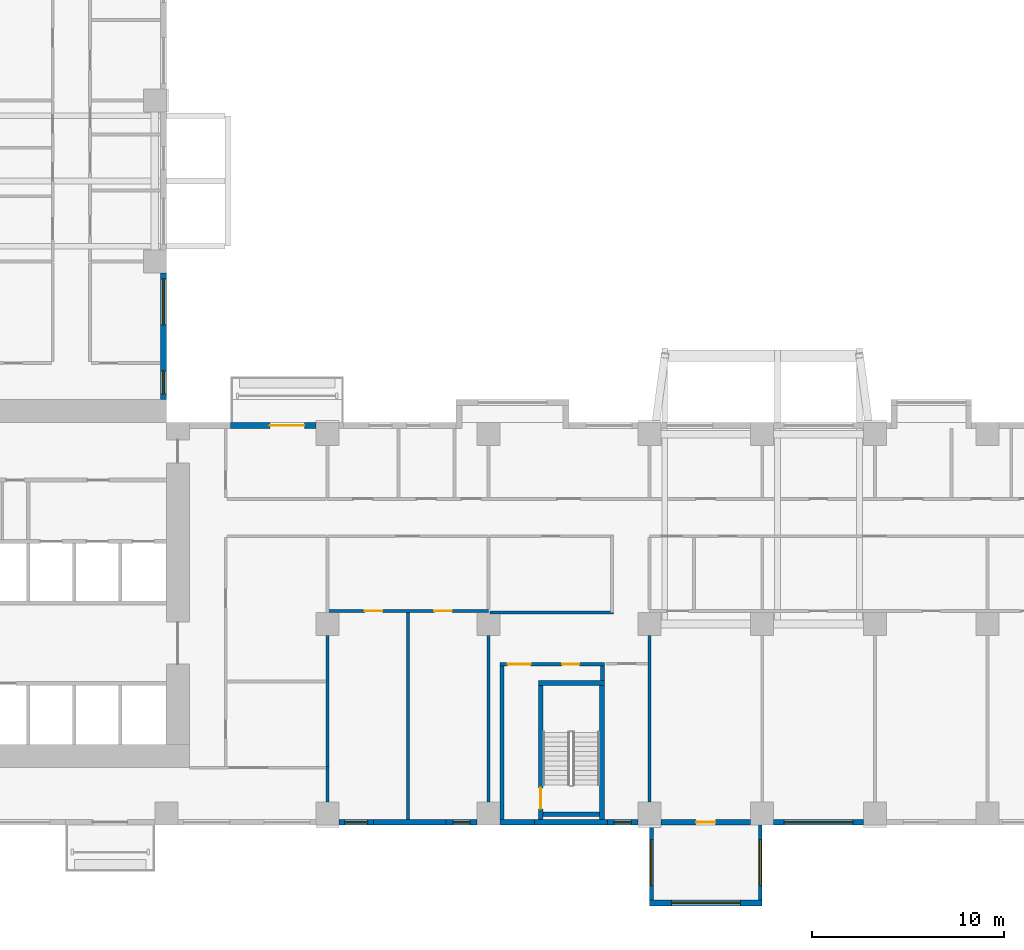
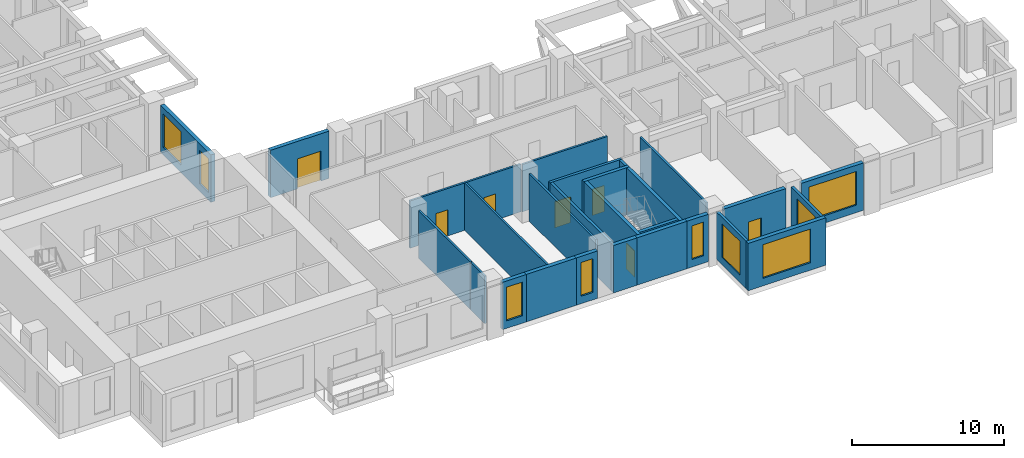
# One storey, part 4 of 14: 27 walls, 9 windows, 7 doors, 16 openings.
"""IFC4 building model written with IfcOpenShell, lengths in metres."""

from ifc_helpers import new_model, si_unit, direction, frame, frame_2d, origin, place, context, subcontext, project, spatial, rectangle, extrude, source, transform, mapped, material, layer, layer_set, type_object, element, fill, save


model = new_model("IFC4")

# Units and contexts
model_context = context("Model", 3, precision=1e-05, world=origin(), true_north=direction((0.0, 1.0)))
body_context = subcontext(model_context, "Body", "Model", "MODEL_VIEW")
ifc_project = project(units=[si_unit("LENGTHUNIT", "METRE"), si_unit("AREAUNIT", "SQUARE_METRE"), si_unit("VOLUMEUNIT", "CUBIC_METRE"), si_unit("PLANEANGLEUNIT", "RADIAN"), si_unit("MASSUNIT", "GRAM", prefix="KILO")], contexts=[model_context])

# Site, building, storey
site_placement = place(None, origin())
site = spatial("IfcSite", under=ifc_project, at=site_placement, CompositionType="ELEMENT")
building_placement = place(site_placement, origin())
building = spatial("IfcBuilding", under=site, at=building_placement, Name="Aurelian Terraces", CompositionType="ELEMENT")
storey_placement = place(building_placement, frame((0.0, 0.0, 44.7)))
storey = spatial("IfcBuildingStorey", under=building, at=storey_placement, Name="L08", CompositionType="ELEMENT", Elevation=44.7)

# Wall, opening, window
ifc_material_1 = material(Name="Concrete fc' 40 MPa", Category="concrete")
ifc_layer_1 = layer(ifc_material_1, 0.2)
ifc_layer_set_1 = layer_set([ifc_layer_1], Name="BOX BEARING WALL 200")
wall_type_1 = type_object("IfcWallType", Name="BOX BEARING WALL 200", PredefinedType="SOLIDWALL", material=ifc_layer_set_1)
wall_1_placement = place(storey_placement, frame((46.3, 0.0, 0.0), z_axis=(0.0, 0.0, 1.0), x_axis=(0.0, -1.0, 0.0)))
wall_1 = element("IfcWall", 1, at=wall_1_placement, inside=storey, type_object=wall_type_1, Name="Box return L08 J01.1", PredefinedType="SOLIDWALL", context=body_context, shape_type="SweptSolid", body=[
    extrude(rectangle(XDim=3.9, YDim=0.2, at=frame_2d((1.95, 0.0))), origin(), (0.0, 0.0, 1.0), 3.79),
])
opening_1_placement = place(wall_1_placement, frame((0.75, 0.0, 0.6)))
opening_1 = element("IfcOpeningElement", 2, at=opening_1_placement, cuts=wall_1, Name="Opening W2427", PredefinedType="OPENING", context=body_context, shape_type="SweptSolid", body=[
    extrude(rectangle(XDim=2.4, YDim=2.7, at=frame_2d((1.2, 1.35))), frame((0.0, 0.11, 0.0), z_axis=(0.0, -1.0, 0.0), x_axis=(1.0, 0.0, 0.0)), (0.0, 0.0, 1.0), 0.22),
])
ifc_material_2 = material(Name="Clear glazing", Category="glass")
window_type_1 = type_object("IfcWindowType", Name="W-2400x2700", PartitioningType="SINGLE_PANEL", PredefinedType="WINDOW", material=ifc_material_2)
shared_shape_1 = source(origin(), body_context, "Body", "SweptSolid", [
    extrude(rectangle(XDim=2.4, YDim=2.7, at=frame_2d((1.2, 1.35))), frame((0.0, 0.03, 0.0), z_axis=(0.0, -1.0, 0.0), x_axis=(1.0, 0.0, 0.0)), (0.0, 0.0, 1.0), 0.06),
])
window_1_placement = place(opening_1_placement, origin())
window_1 = element("IfcWindow", 3, at=window_1_placement, inside=storey, type_object=window_type_1, Name="Window L08 J01-S1", OverallHeight=2.7, OverallWidth=2.4, PartitioningType="SINGLE_PANEL", PredefinedType="WINDOW", context=body_context, shape_type="MappedRepresentation", body=[
    mapped(shared_shape_1, transform((0.0, 0.0, 0.0), scale=1.0)),
])
fill(opening_1, window_1)

ifc_layer_2 = layer(ifc_material_1, 0.3)
ifc_layer_set_2 = layer_set([ifc_layer_2], Name="BOX BEARING WALL 300")
wall_type_2 = type_object("IfcWallType", Name="BOX BEARING WALL 300", PredefinedType="SOLIDWALL", material=ifc_layer_set_2)
wall_2_placement = place(storey_placement, frame((46.2, -4.05, 0.0), z_axis=(0.0, 0.0, 1.0), x_axis=(1.0, 0.0, 0.0)))
wall_2 = element("IfcWall", 4, at=wall_2_placement, inside=storey, type_object=wall_type_2, Name="Box wall L08 J01", PredefinedType="SOLIDWALL", context=body_context, shape_type="SweptSolid", body=[
    extrude(rectangle(XDim=5.88, YDim=0.3, at=frame_2d((2.94, 0.0))), origin(), (0.0, 0.0, 1.0), 3.79),
])
shared_shape_2 = source(origin(), body_context, "Body", "SweptSolid", [
    extrude(rectangle(XDim=3.6, YDim=2.7, at=frame_2d((1.8, 1.35))), frame((0.0, 0.16, 0.0), z_axis=(0.0, -1.0, 0.0), x_axis=(1.0, 0.0, 0.0)), (0.0, 0.0, 1.0), 0.32),
])
opening_2_placement = place(wall_2_placement, frame((1.14, 0.0, 0.6)))
opening_2 = element("IfcOpeningElement", 5, at=opening_2_placement, cuts=wall_2, Name="Opening W3627", PredefinedType="OPENING", context=body_context, shape_type="MappedRepresentation", body=[
    mapped(shared_shape_2, transform((0.0, 0.0, 0.0), scale=1.0)),
])
window_type_2 = type_object("IfcWindowType", Name="W-3600x2700", PartitioningType="SINGLE_PANEL", PredefinedType="WINDOW", material=ifc_material_2)
shared_shape_3 = source(origin(), body_context, "Body", "SweptSolid", [
    extrude(rectangle(XDim=3.6, YDim=2.7, at=frame_2d((1.8, 1.35))), frame((0.0, 0.03, 0.0), z_axis=(0.0, -1.0, 0.0), x_axis=(1.0, 0.0, 0.0)), (0.0, 0.0, 1.0), 0.06),
])
window_2_placement = place(opening_2_placement, origin())
window_2 = element("IfcWindow", 6, at=window_2_placement, inside=storey, type_object=window_type_2, Name="Window L08 J01-F1", OverallHeight=2.7, OverallWidth=3.6, PartitioningType="SINGLE_PANEL", PredefinedType="WINDOW", context=body_context, shape_type="MappedRepresentation", body=[
    mapped(shared_shape_3, transform((0.0, 0.0, 0.0), scale=1.0)),
])
fill(opening_2, window_2)

# Wall, opening, door
ifc_material_3 = material(Name="Terracotta rainscreen cladding", Category="masonry")
ifc_layer_3 = layer(ifc_material_3, 0.3)
ifc_layer_set_3 = layer_set([ifc_layer_3], Name="EW-300")
wall_type_3 = type_object("IfcWallType", Name="EW-300", PredefinedType="STANDARD", material=ifc_layer_set_3)
wall_3_placement = place(storey_placement, frame((28.8, 20.85, 0.0), z_axis=(0.0, 0.0, 1.0), x_axis=(-1.0, 0.0, 0.0)))
wall_3 = element("IfcWall", 7, at=wall_3_placement, inside=storey, type_object=wall_type_3, Name="External wall L08 F07.26", PredefinedType="STANDARD", context=body_context, shape_type="SweptSolid", body=[
    extrude(rectangle(XDim=4.44, YDim=0.3, at=frame_2d((2.22, 0.0))), origin(), (0.0, 0.0, 1.0), 3.8),
])
shared_shape_4 = source(origin(), body_context, "Body", "SweptSolid", [
    extrude(rectangle(XDim=1.8, YDim=2.4, at=frame_2d((0.9, 1.2))), frame((0.0, 0.16, 0.0), z_axis=(0.0, -1.0, 0.0), x_axis=(1.0, 0.0, 0.0)), (0.0, 0.0, 1.0), 0.32),
])
opening_3_placement = place(wall_3_placement, frame((0.6, 0.0, 0.0)))
opening_3 = element("IfcOpeningElement", 8, at=opening_3_placement, cuts=wall_3, Name="Opening 80802", PredefinedType="OPENING", context=body_context, shape_type="MappedRepresentation", body=[
    mapped(shared_shape_4, transform((0.0, 0.0, 0.0), scale=1.0)),
])
door_type_1 = type_object("IfcDoorType", Name="BD-1800x2400", OperationType="SLIDING_TO_LEFT", PredefinedType="DOOR", material=ifc_material_2)
shared_shape_5 = source(origin(), body_context, "Body", "SweptSolid", [
    extrude(rectangle(XDim=1.8, YDim=2.4, at=frame_2d((0.9, 1.2))), frame((0.0, 0.025, 0.0), z_axis=(0.0, -1.0, 0.0), x_axis=(1.0, 0.0, 0.0)), (0.0, 0.0, 1.0), 0.05),
])
door_1_placement = place(opening_3_placement, origin())
door_1 = element("IfcDoor", 9, at=door_1_placement, inside=storey, type_object=door_type_1, Name="Balcony door L08 F07.26", OperationType="SLIDING_TO_LEFT", OverallHeight=2.4, OverallWidth=1.8, PredefinedType="DOOR", context=body_context, shape_type="MappedRepresentation", body=[
    mapped(shared_shape_5, transform((0.0, 0.0, 0.0), scale=1.0)),
])
fill(opening_3, door_1)

# Wall, openings, windows
wall_4_placement = place(storey_placement, frame((20.85, 22.2, 0.0), z_axis=(0.0, 0.0, 1.0), x_axis=(0.0, 1.0, 0.0)))
wall_4 = element("IfcWall", 10, at=wall_4_placement, inside=storey, type_object=wall_type_3, Name="External wall L08 F08.28", PredefinedType="STANDARD", context=body_context, shape_type="SweptSolid", body=[
    extrude(rectangle(XDim=6.6, YDim=0.3, at=frame_2d((3.3, 0.0))), origin(), (0.0, 0.0, 1.0), 3.8),
])
shared_shape_6 = source(origin(), body_context, "Body", "SweptSolid", [
    extrude(rectangle(XDim=1.2, YDim=2.7, at=frame_2d((0.6, 1.35))), frame((0.0, 0.16, 0.0), z_axis=(0.0, -1.0, 0.0), x_axis=(1.0, 0.0, 0.0)), (0.0, 0.0, 1.0), 0.32),
])
opening_4_placement = place(wall_4_placement, frame((0.3, 0.0, 0.6)))
opening_4 = element("IfcOpeningElement", 11, at=opening_4_placement, cuts=wall_4, Name="Opening W1227", PredefinedType="OPENING", context=body_context, shape_type="MappedRepresentation", body=[
    mapped(shared_shape_6, transform((0.0, 0.0, 0.0), scale=1.0)),
])
shared_shape_7 = source(origin(), body_context, "Body", "SweptSolid", [
    extrude(rectangle(XDim=2.4, YDim=2.7, at=frame_2d((1.2, 1.35))), frame((0.0, 0.16, 0.0), z_axis=(0.0, -1.0, 0.0), x_axis=(1.0, 0.0, 0.0)), (0.0, 0.0, 1.0), 0.32),
])
opening_5_placement = place(wall_4_placement, frame((3.9, 0.0, 0.6)))
opening_5 = element("IfcOpeningElement", 12, at=opening_5_placement, cuts=wall_4, Name="Opening W2427", PredefinedType="OPENING", context=body_context, shape_type="MappedRepresentation", body=[
    mapped(shared_shape_7, transform((0.0, 0.0, 0.0), scale=1.0)),
])
window_3_placement = place(opening_5_placement, origin())
window_3 = element("IfcWindow", 13, at=window_3_placement, inside=storey, type_object=window_type_1, Name="Window L08 L08-F08-28-1", OverallHeight=2.7, OverallWidth=2.4, PartitioningType="SINGLE_PANEL", PredefinedType="WINDOW", context=body_context, shape_type="MappedRepresentation", body=[
    mapped(shared_shape_1, transform((0.0, 0.0, 0.0), scale=1.0)),
])
fill(opening_5, window_3)
window_type_3 = type_object("IfcWindowType", Name="W-1200x2700", PartitioningType="SINGLE_PANEL", PredefinedType="WINDOW", material=ifc_material_2)
shared_shape_8 = source(origin(), body_context, "Body", "SweptSolid", [
    extrude(rectangle(XDim=1.2, YDim=2.7, at=frame_2d((0.6, 1.35))), frame((0.0, 0.03, 0.0), z_axis=(0.0, -1.0, 0.0), x_axis=(1.0, 0.0, 0.0)), (0.0, 0.0, 1.0), 0.06),
])
window_4_placement = place(opening_4_placement, origin())
window_4 = element("IfcWindow", 14, at=window_4_placement, inside=storey, type_object=window_type_3, Name="Window L08 L08-F08-28-0", OverallHeight=2.7, OverallWidth=1.2, PartitioningType="SINGLE_PANEL", PredefinedType="WINDOW", context=body_context, shape_type="MappedRepresentation", body=[
    mapped(shared_shape_8, transform((0.0, 0.0, 0.0), scale=1.0)),
])
fill(opening_4, window_4)

# Wall, opening, door
shared_shape_9 = source(origin(), body_context, "Body", "SweptSolid", [
    extrude(rectangle(XDim=4.68, YDim=0.3, at=frame_2d((2.34, 0.0))), origin(), (0.0, 0.0, 1.0), 3.8),
])
wall_5_placement = place(storey_placement, frame((46.8, 0.15, 0.0), z_axis=(0.0, 0.0, 1.0), x_axis=(1.0, 0.0, 0.0)))
wall_5 = element("IfcWall", 15, at=wall_5_placement, inside=storey, type_object=wall_type_3, Name="External wall L08 F01.8", PredefinedType="STANDARD", context=body_context, shape_type="MappedRepresentation", body=[
    mapped(shared_shape_9, transform((0.0, 0.0, 0.0), scale=1.0)),
])
shared_shape_10 = source(origin(), body_context, "Body", "SweptSolid", [
    extrude(rectangle(XDim=1.0, YDim=2.1, at=frame_2d((0.5, 1.05))), frame((0.0, 0.16, 0.0), z_axis=(0.0, -1.0, 0.0), x_axis=(1.0, 0.0, 0.0)), (0.0, 0.0, 1.0), 0.32),
])
opening_6_placement = place(wall_5_placement, frame((1.84, 0.0, 0.0)))
opening_6 = element("IfcOpeningElement", 16, at=opening_6_placement, cuts=wall_5, Name="Opening 808001", PredefinedType="OPENING", context=body_context, shape_type="MappedRepresentation", body=[
    mapped(shared_shape_10, transform((0.0, 0.0, 0.0), scale=1.0)),
])
ifc_material_4 = material(Name="Timber door leaf", Category="wood")
door_type_2 = type_object("IfcDoorType", Name="Room door 1000x2100 left", OperationType="SINGLE_SWING_LEFT", PredefinedType="DOOR", material=ifc_material_4)
shared_shape_11 = source(origin(), body_context, "Body", "SweptSolid", [
    extrude(rectangle(XDim=1.0, YDim=2.1, at=frame_2d((0.5, 1.05))), frame((0.0, 0.025, 0.0), z_axis=(0.0, -1.0, 0.0), x_axis=(1.0, 0.0, 0.0)), (0.0, 0.0, 1.0), 0.05),
])
door_2_placement = place(opening_6_placement, origin())
door_2 = element("IfcDoor", 17, at=door_2_placement, inside=storey, type_object=door_type_2, Name="Door 808001", OperationType="SINGLE_SWING_LEFT", OverallHeight=2.1, OverallWidth=1.0, PredefinedType="DOOR", context=body_context, shape_type="MappedRepresentation", body=[
    mapped(shared_shape_11, transform((0.0, 0.0, 0.0), scale=1.0)),
])
fill(opening_6, door_2)

# Wall, opening, window
wall_6_placement = place(storey_placement, frame((52.68, 0.15, 0.0), z_axis=(0.0, 0.0, 1.0), x_axis=(1.0, 0.0, 0.0)))
wall_6 = element("IfcWall", 18, at=wall_6_placement, inside=storey, type_object=wall_type_3, Name="External wall L08 F01.9", PredefinedType="STANDARD", context=body_context, shape_type="MappedRepresentation", body=[
    mapped(shared_shape_9, transform((0.0, 0.0, 0.0), scale=1.0)),
])
opening_7_placement = place(wall_6_placement, frame((0.54, 0.0, 0.6)))
opening_7 = element("IfcOpeningElement", 19, at=opening_7_placement, cuts=wall_6, Name="Opening W3627", PredefinedType="OPENING", context=body_context, shape_type="MappedRepresentation", body=[
    mapped(shared_shape_2, transform((0.0, 0.0, 0.0), scale=1.0)),
])
window_5_placement = place(opening_7_placement, origin())
window_5 = element("IfcWindow", 20, at=window_5_placement, inside=storey, type_object=window_type_2, Name="Window L08 L08-F01-09-0", OverallHeight=2.7, OverallWidth=3.6, PartitioningType="SINGLE_PANEL", PredefinedType="WINDOW", context=body_context, shape_type="MappedRepresentation", body=[
    mapped(shared_shape_3, transform((0.0, 0.0, 0.0), scale=1.0)),
])
fill(opening_7, window_5)

shared_shape_12 = source(origin(), body_context, "Body", "SweptSolid", [
    extrude(rectangle(XDim=1.6, YDim=0.3, at=frame_2d((0.8, 0.0))), origin(), (0.0, 0.0, 1.0), 3.8),
])
wall_7_placement = place(storey_placement, frame((35.6, 0.15, 0.0), z_axis=(0.0, 0.0, 1.0), x_axis=(1.0, 0.0, 0.0)))
wall_7 = element("IfcWall", 21, at=wall_7_placement, inside=storey, type_object=wall_type_3, Name="External wall L08 F01.6", PredefinedType="STANDARD", context=body_context, shape_type="MappedRepresentation", body=[
    mapped(shared_shape_12, transform((0.0, 0.0, 0.0), scale=1.0)),
])
shared_shape_13 = source(origin(), body_context, "Body", "SweptSolid", [
    extrude(rectangle(XDim=0.9, YDim=2.7, at=frame_2d((0.45, 1.35))), frame((0.0, 0.16, 0.0), z_axis=(0.0, -1.0, 0.0), x_axis=(1.0, 0.0, 0.0)), (0.0, 0.0, 1.0), 0.32),
])
opening_8_placement = place(wall_7_placement, frame((0.35, 0.0, 0.6)))
opening_8 = element("IfcOpeningElement", 22, at=opening_8_placement, cuts=wall_7, Name="Opening W0927", PredefinedType="OPENING", context=body_context, shape_type="MappedRepresentation", body=[
    mapped(shared_shape_13, transform((0.0, 0.0, 0.0), scale=1.0)),
])
window_type_4 = type_object("IfcWindowType", Name="W-900x2700", PartitioningType="SINGLE_PANEL", PredefinedType="WINDOW", material=ifc_material_2)
shared_shape_14 = source(origin(), body_context, "Body", "SweptSolid", [
    extrude(rectangle(XDim=0.9, YDim=2.7, at=frame_2d((0.45, 1.35))), frame((0.0, 0.03, 0.0), z_axis=(0.0, -1.0, 0.0), x_axis=(1.0, 0.0, 0.0)), (0.0, 0.0, 1.0), 0.06),
])
window_6_placement = place(opening_8_placement, origin())
window_6 = element("IfcWindow", 23, at=window_6_placement, inside=storey, type_object=window_type_4, Name="Window L08 L08-F01-06-P2", OverallHeight=2.7, OverallWidth=0.9, PartitioningType="SINGLE_PANEL", PredefinedType="WINDOW", context=body_context, shape_type="MappedRepresentation", body=[
    mapped(shared_shape_14, transform((0.0, 0.0, 0.0), scale=1.0)),
])
fill(opening_8, window_6)

wall_8_placement = place(storey_placement, frame((44.0, 0.15, 0.0), z_axis=(0.0, 0.0, 1.0), x_axis=(1.0, 0.0, 0.0)))
wall_8 = element("IfcWall", 24, at=wall_8_placement, inside=storey, type_object=wall_type_3, Name="External wall L08 F01.7", PredefinedType="STANDARD", context=body_context, shape_type="MappedRepresentation", body=[
    mapped(shared_shape_12, transform((0.0, 0.0, 0.0), scale=1.0)),
])
opening_9_placement = place(wall_8_placement, frame((0.35, 0.0, 0.6)))
opening_9 = element("IfcOpeningElement", 25, at=opening_9_placement, cuts=wall_8, Name="Opening W0927", PredefinedType="OPENING", context=body_context, shape_type="MappedRepresentation", body=[
    mapped(shared_shape_13, transform((0.0, 0.0, 0.0), scale=1.0)),
])
window_7_placement = place(opening_9_placement, origin())
window_7 = element("IfcWindow", 26, at=window_7_placement, inside=storey, type_object=window_type_4, Name="Window L08 L08-F01-07-P2", OverallHeight=2.7, OverallWidth=0.9, PartitioningType="SINGLE_PANEL", PredefinedType="WINDOW", context=body_context, shape_type="MappedRepresentation", body=[
    mapped(shared_shape_14, transform((0.0, 0.0, 0.0), scale=1.0)),
])
fill(opening_9, window_7)

# Walls
ifc_layer_4 = layer(ifc_material_1, 0.3)
ifc_layer_set_4 = layer_set([ifc_layer_4], Name="STAIR BAY WALL 300")
wall_type_4 = type_object("IfcWallType", Name="STAIR BAY WALL 300", PredefinedType="SOLIDWALL", material=ifc_layer_set_4)
shared_shape_15 = source(origin(), body_context, "Body", "SweptSolid", [
    extrude(rectangle(XDim=3.8, YDim=0.3, at=frame_2d((1.9, 0.0))), origin(), (0.0, 0.0, 1.0), 3.8),
])
for number, where, z_axis, x_axis, name in (
    (27, (31.8, 0.15, 0.0), (0.0, 0.0, 1.0), (1.0, 0.0, 0.0), "Bearing wall L08 F01.6"),
    (28, (40.2, 0.15, 0.0), (0.0, 0.0, 1.0), (1.0, 0.0, 0.0), "Stair bay wall L08 F01.7"),
):
    element("IfcWall", number, at=place(storey_placement, frame(where, z_axis=z_axis, x_axis=x_axis)), inside=storey, type_object=wall_type_4, Name=name, PredefinedType="SOLIDWALL", context=body_context, shape_type="MappedRepresentation", body=[
        mapped(shared_shape_15, transform((0.0, 0.0, 0.0), scale=1.0)),
    ])

# Wall, opening, window
shared_shape_16 = source(origin(), body_context, "Body", "SweptSolid", [
    extrude(rectangle(XDim=1.8, YDim=0.3, at=frame_2d((0.9, 0.0))), origin(), (0.0, 0.0, 1.0), 3.8),
])
wall_9_placement = place(storey_placement, frame((30.0, 0.15, 0.0), z_axis=(0.0, 0.0, 1.0), x_axis=(1.0, 0.0, 0.0)))
wall_9 = element("IfcWall", 29, at=wall_9_placement, inside=storey, type_object=wall_type_3, Name="External wall L08 F01.6", PredefinedType="STANDARD", context=body_context, shape_type="MappedRepresentation", body=[
    mapped(shared_shape_16, transform((0.0, 0.0, 0.0), scale=1.0)),
])
opening_10_placement = place(wall_9_placement, frame((0.3, 0.0, 0.6)))
opening_10 = element("IfcOpeningElement", 30, at=opening_10_placement, cuts=wall_9, Name="Opening W1227", PredefinedType="OPENING", context=body_context, shape_type="MappedRepresentation", body=[
    mapped(shared_shape_6, transform((0.0, 0.0, 0.0), scale=1.0)),
])
window_8_placement = place(opening_10_placement, origin())
window_8 = element("IfcWindow", 31, at=window_8_placement, inside=storey, type_object=window_type_3, Name="Window L08 L08-F01-06-P0", OverallHeight=2.7, OverallWidth=1.2, PartitioningType="SINGLE_PANEL", PredefinedType="WINDOW", context=body_context, shape_type="MappedRepresentation", body=[
    mapped(shared_shape_8, transform((0.0, 0.0, 0.0), scale=1.0)),
])
fill(opening_10, window_8)

# Wall
wall_10_placement = place(storey_placement, frame((38.4, 0.15, 0.0), z_axis=(0.0, 0.0, 1.0), x_axis=(1.0, 0.0, 0.0)))
element("IfcWall", 32, at=wall_10_placement, inside=storey, type_object=wall_type_3, Name="External wall L08 F01.7", PredefinedType="STANDARD", context=body_context, shape_type="MappedRepresentation", body=[
    mapped(shared_shape_16, transform((0.0, 0.0, 0.0), scale=1.0)),
])

# Wall, opening, window
shared_shape_17 = source(origin(), body_context, "Body", "SweptSolid", [
    extrude(rectangle(XDim=3.9, YDim=0.2, at=frame_2d((1.95, 0.0))), origin(), (0.0, 0.0, 1.0), 3.79),
])
wall_11_placement = place(storey_placement, frame((51.98, 0.0, 0.0), z_axis=(0.0, 0.0, 1.0), x_axis=(0.0, -1.0, 0.0)))
wall_11 = element("IfcWall", 33, at=wall_11_placement, inside=storey, type_object=wall_type_1, Name="Box return L08 J01.2", PredefinedType="SOLIDWALL", context=body_context, shape_type="MappedRepresentation", body=[
    mapped(shared_shape_17, transform((0.0, 0.0, 0.0), scale=1.0)),
])
shared_shape_18 = source(origin(), body_context, "Body", "SweptSolid", [
    extrude(rectangle(XDim=2.4, YDim=2.7, at=frame_2d((1.2, 1.35))), frame((0.0, 0.11, 0.0), z_axis=(0.0, -1.0, 0.0), x_axis=(1.0, 0.0, 0.0)), (0.0, 0.0, 1.0), 0.22),
])
opening_11_placement = place(wall_11_placement, frame((0.75, 0.0, 0.6)))
opening_11 = element("IfcOpeningElement", 34, at=opening_11_placement, cuts=wall_11, Name="Opening W2427", PredefinedType="OPENING", context=body_context, shape_type="MappedRepresentation", body=[
    mapped(shared_shape_18, transform((0.0, 0.0, 0.0), scale=1.0)),
])
window_9_placement = place(opening_11_placement, origin())
window_9 = element("IfcWindow", 35, at=window_9_placement, inside=storey, type_object=window_type_1, Name="Window L08 J01-S2", OverallHeight=2.7, OverallWidth=2.4, PartitioningType="SINGLE_PANEL", PredefinedType="WINDOW", context=body_context, shape_type="MappedRepresentation", body=[
    mapped(shared_shape_1, transform((0.0, 0.0, 0.0), scale=1.0)),
])
fill(opening_11, window_9)

# Wall, opening, door
ifc_layer_5 = layer(ifc_material_1, 0.25)
ifc_layer_set_5 = layer_set([ifc_layer_5], Name="Stair enclosure wall 250")
wall_type_5 = type_object("IfcWallType", Name="Stair enclosure wall 250", PredefinedType="SOLIDWALL", material=ifc_layer_set_5)
shared_shape_19 = source(origin(), body_context, "Body", "SweptSolid", [
    extrude(rectangle(XDim=7.0, YDim=0.25, at=frame_2d((3.5, 0.0))), origin(), (0.0, 0.0, 1.0), 3.8),
])
wall_12_placement = place(storey_placement, frame((40.525, 0.3, 0.0), z_axis=(0.0, 0.0, 1.0), x_axis=(0.0, 1.0, 0.0)))
wall_12 = element("IfcWall", 36, at=wall_12_placement, inside=storey, type_object=wall_type_5, Name="L08 core wall ST-S2-W", PredefinedType="SOLIDWALL", context=body_context, shape_type="MappedRepresentation", body=[
    mapped(shared_shape_19, transform((0.0, 0.0, 0.0), scale=1.0)),
])
shared_shape_20 = source(origin(), body_context, "Body", "SweptSolid", [
    extrude(rectangle(XDim=1.1, YDim=2.1, at=frame_2d((0.55, 1.05))), frame((0.0, 0.135, 0.0), z_axis=(0.0, -1.0, 0.0), x_axis=(1.0, 0.0, 0.0)), (0.0, 0.0, 1.0), 0.27),
])
opening_12_placement = place(wall_12_placement, frame((0.55, 0.0, 0.0)))
opening_12 = element("IfcOpeningElement", 37, at=opening_12_placement, cuts=wall_12, Name="Opening 61115", PredefinedType="OPENING", context=body_context, shape_type="MappedRepresentation", body=[
    mapped(shared_shape_20, transform((0.0, 0.0, 0.0), scale=1.0)),
])
ifc_material_5 = material(Name="Steel door leaf", Category="steel")
door_type_3 = type_object("IfcDoorType", Name="Core fire door 1100x2100", OperationType="SINGLE_SWING_LEFT", PredefinedType="DOOR", material=ifc_material_5)
shared_shape_21 = source(origin(), body_context, "Body", "SweptSolid", [
    extrude(rectangle(XDim=1.1, YDim=2.1, at=frame_2d((0.55, 1.05))), frame((0.0, 0.025, 0.0), z_axis=(0.0, -1.0, 0.0), x_axis=(1.0, 0.0, 0.0)), (0.0, 0.0, 1.0), 0.05),
])
door_3_placement = place(opening_12_placement, origin())
door_3 = element("IfcDoor", 38, at=door_3_placement, inside=storey, type_object=door_type_3, Name="Stair door 61115", OperationType="SINGLE_SWING_LEFT", OverallHeight=2.1, OverallWidth=1.1, PredefinedType="DOOR", context=body_context, shape_type="MappedRepresentation", body=[
    mapped(shared_shape_21, transform((0.0, 0.0, 0.0), scale=1.0)),
])
fill(opening_12, door_3)

# Walls
wall_13_placement = place(storey_placement, frame((43.725, 0.3, 0.0), z_axis=(0.0, 0.0, 1.0), x_axis=(0.0, 1.0, 0.0)))
element("IfcWall", 39, at=wall_13_placement, inside=storey, type_object=wall_type_5, Name="L08 core wall ST-S2-E", PredefinedType="SOLIDWALL", context=body_context, shape_type="MappedRepresentation", body=[
    mapped(shared_shape_19, transform((0.0, 0.0, 0.0), scale=1.0)),
])
shared_shape_22 = source(origin(), body_context, "Body", "SweptSolid", [
    extrude(rectangle(XDim=3.45, YDim=0.25, at=frame_2d((1.725, 0.0))), origin(), (0.0, 0.0, 1.0), 3.8),
])
wall_14_placement = place(storey_placement, frame((40.4, 7.425, 0.0), z_axis=(0.0, 0.0, 1.0), x_axis=(1.0, 0.0, 0.0)))
element("IfcWall", 40, at=wall_14_placement, inside=storey, type_object=wall_type_5, Name="L08 core wall ST-S2-N", PredefinedType="SOLIDWALL", context=body_context, shape_type="MappedRepresentation", body=[
    mapped(shared_shape_22, transform((0.0, 0.0, 0.0), scale=1.0)),
])
shared_shape_23 = source(origin(), body_context, "Body", "SweptSolid", [
    extrude(rectangle(XDim=2.95, YDim=0.25, at=frame_2d((1.475, 0.0))), origin(), (0.0, 0.0, 1.0), 3.8),
])
wall_15_placement = place(storey_placement, frame((40.65, 0.575, 0.0), z_axis=(0.0, 0.0, 1.0), x_axis=(1.0, 0.0, 0.0)))
element("IfcWall", 41, at=wall_15_placement, inside=storey, type_object=wall_type_5, Name="L08 core wall ST-S2-SS", PredefinedType="SOLIDWALL", context=body_context, shape_type="MappedRepresentation", body=[
    mapped(shared_shape_23, transform((0.0, 0.0, 0.0), scale=1.0)),
])
ifc_material_6 = material(Name="Gypsum board on steel studs", Category="steel")
ifc_layer_6 = layer(ifc_material_6, 0.2)
ifc_layer_set_6 = layer_set([ifc_layer_6], Name="Core partition 200")
wall_type_6 = type_object("IfcWallType", Name="Core partition 200", PredefinedType="PARTITIONING", material=ifc_layer_set_6)
shared_shape_24 = source(origin(), body_context, "Body", "SweptSolid", [
    extrude(rectangle(XDim=8.0, YDim=0.2, at=frame_2d((4.0, 0.0))), origin(), (0.0, 0.0, 1.0), 3.8),
])
wall_16_placement = place(storey_placement, frame((38.5, 0.3, 0.0), z_axis=(0.0, 0.0, 1.0), x_axis=(0.0, 1.0, 0.0)))
element("IfcWall", 42, at=wall_16_placement, inside=storey, type_object=wall_type_6, Name="L08 core wall ST-S2-VW", PredefinedType="PARTITIONING", context=body_context, shape_type="MappedRepresentation", body=[
    mapped(shared_shape_24, transform((0.0, 0.0, 0.0), scale=1.0)),
])

# Wall, openings, doors
shared_shape_25 = source(origin(), body_context, "Body", "SweptSolid", [
    extrude(rectangle(XDim=5.45, YDim=0.2, at=frame_2d((2.725, 0.0))), origin(), (0.0, 0.0, 1.0), 3.8),
])
wall_17_placement = place(storey_placement, frame((38.4, 8.4, 0.0), z_axis=(0.0, 0.0, 1.0), x_axis=(1.0, 0.0, 0.0)))
wall_17 = element("IfcWall", 43, at=wall_17_placement, inside=storey, type_object=wall_type_6, Name="L08 core wall ST-S2-BN", PredefinedType="PARTITIONING", context=body_context, shape_type="MappedRepresentation", body=[
    mapped(shared_shape_25, transform((0.0, 0.0, 0.0), scale=1.0)),
])
shared_shape_26 = source(origin(), body_context, "Body", "SweptSolid", [
    extrude(rectangle(XDim=1.2, YDim=2.1, at=frame_2d((0.6, 1.05))), frame((0.0, 0.11, 0.0), z_axis=(0.0, -1.0, 0.0), x_axis=(1.0, 0.0, 0.0)), (0.0, 0.0, 1.0), 0.22),
])
opening_13_placement = place(wall_17_placement, frame((0.4, 0.0, 0.0)))
opening_13 = element("IfcOpeningElement", 44, at=opening_13_placement, cuts=wall_17, Name="Opening 61116", PredefinedType="OPENING", context=body_context, shape_type="MappedRepresentation", body=[
    mapped(shared_shape_26, transform((0.0, 0.0, 0.0), scale=1.0)),
])
shared_shape_27 = source(origin(), body_context, "Body", "SweptSolid", [
    extrude(rectangle(XDim=0.9, YDim=2.1, at=frame_2d((0.45, 1.05))), frame((0.0, 0.11, 0.0), z_axis=(0.0, -1.0, 0.0), x_axis=(1.0, 0.0, 0.0)), (0.0, 0.0, 1.0), 0.22),
])
opening_14_placement = place(wall_17_placement, frame((3.25, 0.0, 0.0)))
opening_14 = element("IfcOpeningElement", 45, at=opening_14_placement, cuts=wall_17, Name="Opening 61117", PredefinedType="OPENING", context=body_context, shape_type="MappedRepresentation", body=[
    mapped(shared_shape_27, transform((0.0, 0.0, 0.0), scale=1.0)),
])
door_type_4 = type_object("IfcDoorType", Name="Core riser door 900x2100", OperationType="SINGLE_SWING_LEFT", PredefinedType="DOOR", material=ifc_material_5)
shared_shape_28 = source(origin(), body_context, "Body", "SweptSolid", [
    extrude(rectangle(XDim=0.9, YDim=2.1, at=frame_2d((0.45, 1.05))), frame((0.0, 0.025, 0.0), z_axis=(0.0, -1.0, 0.0), x_axis=(1.0, 0.0, 0.0)), (0.0, 0.0, 1.0), 0.05),
])
door_4_placement = place(opening_14_placement, origin())
door_4 = element("IfcDoor", 46, at=door_4_placement, inside=storey, type_object=door_type_4, Name="Riser door 61117", OperationType="SINGLE_SWING_LEFT", OverallHeight=2.1, OverallWidth=0.9, PredefinedType="DOOR", context=body_context, shape_type="MappedRepresentation", body=[
    mapped(shared_shape_28, transform((0.0, 0.0, 0.0), scale=1.0)),
])
fill(opening_14, door_4)
door_type_5 = type_object("IfcDoorType", Name="Core fire door 1200x2100 right", OperationType="SINGLE_SWING_RIGHT", PredefinedType="DOOR", material=ifc_material_5)
shared_shape_29 = source(origin(), body_context, "Body", "SweptSolid", [
    extrude(rectangle(XDim=1.2, YDim=2.1, at=frame_2d((0.6, 1.05))), frame((0.0, 0.025, 0.0), z_axis=(0.0, -1.0, 0.0), x_axis=(1.0, 0.0, 0.0)), (0.0, 0.0, 1.0), 0.05),
])
door_5_placement = place(opening_13_placement, origin())
door_5 = element("IfcDoor", 47, at=door_5_placement, inside=storey, type_object=door_type_5, Name="Vestibule door 61116", OperationType="SINGLE_SWING_RIGHT", OverallHeight=2.1, OverallWidth=1.2, PredefinedType="DOOR", context=body_context, shape_type="MappedRepresentation", body=[
    mapped(shared_shape_29, transform((0.0, 0.0, 0.0), scale=1.0)),
])
fill(opening_13, door_5)

# Walls
shared_shape_30 = source(origin(), body_context, "Body", "SweptSolid", [
    extrude(rectangle(XDim=0.75, YDim=0.2, at=frame_2d((0.375, 0.0))), origin(), (0.0, 0.0, 1.0), 3.8),
])
wall_18_placement = place(storey_placement, frame((43.75, 7.55, 0.0), z_axis=(0.0, 0.0, 1.0), x_axis=(0.0, 1.0, 0.0)))
element("IfcWall", 48, at=wall_18_placement, inside=storey, type_object=wall_type_6, Name="L08 core wall ST-S2-RE", PredefinedType="PARTITIONING", context=body_context, shape_type="MappedRepresentation", body=[
    mapped(shared_shape_30, transform((0.0, 0.0, 0.0), scale=1.0)),
])
ifc_layer_7 = layer(ifc_material_6, 0.15)
ifc_layer_set_7 = layer_set([ifc_layer_7], Name="Partition 150")
wall_type_7 = type_object("IfcWallType", Name="Partition 150", PredefinedType="PARTITIONING", material=ifc_layer_set_7)
shared_shape_31 = source(origin(), body_context, "Body", "SweptSolid", [
    extrude(rectangle(XDim=6.45, YDim=0.15, at=frame_2d((3.225, 0.0))), origin(), (0.0, 0.0, 1.0), 3.8),
])
wall_19_placement = place(storey_placement, frame((37.875, 11.1, 0.0), z_axis=(0.0, 0.0, 1.0), x_axis=(1.0, 0.0, 0.0)))
element("IfcWall", 49, at=wall_19_placement, inside=storey, type_object=wall_type_7, Name="Partition", PredefinedType="PARTITIONING", context=body_context, shape_type="MappedRepresentation", body=[
    mapped(shared_shape_31, transform((0.0, 0.0, 0.0), scale=1.0)),
])
shared_shape_32 = source(origin(), body_context, "Body", "SweptSolid", [
    extrude(rectangle(XDim=8.702, YDim=0.15, at=frame_2d((4.351, 0.0))), origin(), (0.0, 0.0, 1.0), 3.8),
])
for number, where, z_axis, x_axis, name in (
    (50, (37.8, 1.199, 0.0), (0.0, 0.0, 1.0), (0.0, 1.0, 0.0), "Partition"),
    (51, (46.2, 1.199, 0.0), (0.0, 0.0, 1.0), (0.0, 1.0, 0.0), "Partition"),
):
    element("IfcWall", number, at=place(storey_placement, frame(where, z_axis=z_axis, x_axis=x_axis)), inside=storey, type_object=wall_type_7, Name=name, PredefinedType="PARTITIONING", context=body_context, shape_type="MappedRepresentation", body=[
        mapped(shared_shape_32, transform((0.0, 0.0, 0.0), scale=1.0)),
    ])

# Wall, openings, doors
shared_shape_33 = source(origin(), body_context, "Body", "SweptSolid", [
    extrude(rectangle(XDim=8.4, YDim=0.15, at=frame_2d((4.2, 0.0))), origin(), (0.0, 0.0, 1.0), 3.8),
])
wall_20_placement = place(storey_placement, frame((37.8, 11.175, 0.0), z_axis=(0.0, 0.0, 1.0), x_axis=(-1.0, 0.0, 0.0)))
wall_20 = element("IfcWall", 52, at=wall_20_placement, inside=storey, type_object=wall_type_7, Name="Partition", PredefinedType="PARTITIONING", context=body_context, shape_type="MappedRepresentation", body=[
    mapped(shared_shape_33, transform((0.0, 0.0, 0.0), scale=1.0)),
])
shared_shape_34 = source(origin(), body_context, "Body", "SweptSolid", [
    extrude(rectangle(XDim=0.9, YDim=2.1, at=frame_2d((0.45, 1.05))), frame((0.0, 0.085, 0.0), z_axis=(0.0, -1.0, 0.0), x_axis=(1.0, 0.0, 0.0)), (0.0, 0.0, 1.0), 0.17),
])
opening_15_placement = place(wall_20_placement, frame((5.5375, 0.0, 0.0)))
opening_15 = element("IfcOpeningElement", 53, at=opening_15_placement, cuts=wall_20, Name="Opening 708008", PredefinedType="OPENING", context=body_context, shape_type="MappedRepresentation", body=[
    mapped(shared_shape_34, transform((0.0, 0.0, 0.0), scale=1.0)),
])
opening_16_placement = place(wall_20_placement, frame((1.9125, 0.0, 0.0)))
opening_16 = element("IfcOpeningElement", 54, at=opening_16_placement, cuts=wall_20, Name="Opening 708009", PredefinedType="OPENING", context=body_context, shape_type="MappedRepresentation", body=[
    mapped(shared_shape_34, transform((0.0, 0.0, 0.0), scale=1.0)),
])
door_type_6 = type_object("IfcDoorType", Name="Room door 900x2100 left", OperationType="SINGLE_SWING_LEFT", PredefinedType="DOOR", material=ifc_material_4)
door_6_placement = place(opening_15_placement, origin())
door_6 = element("IfcDoor", 55, at=door_6_placement, inside=storey, type_object=door_type_6, Name="Door 708008", OperationType="SINGLE_SWING_LEFT", OverallHeight=2.1, OverallWidth=0.9, PredefinedType="DOOR", context=body_context, shape_type="MappedRepresentation", body=[
    mapped(shared_shape_28, transform((0.0, 0.0, 0.0), scale=1.0)),
])
fill(opening_15, door_6)
door_type_7 = type_object("IfcDoorType", Name="Room door 900x2100 right", OperationType="SINGLE_SWING_RIGHT", PredefinedType="DOOR", material=ifc_material_4)
door_7_placement = place(opening_16_placement, origin())
door_7 = element("IfcDoor", 56, at=door_7_placement, inside=storey, type_object=door_type_7, Name="Door 708009", OperationType="SINGLE_SWING_RIGHT", OverallHeight=2.1, OverallWidth=0.9, PredefinedType="DOOR", context=body_context, shape_type="MappedRepresentation", body=[
    mapped(shared_shape_28, transform((0.0, 0.0, 0.0), scale=1.0)),
])
fill(opening_16, door_7)

# Walls
shared_shape_35 = source(origin(), body_context, "Body", "SweptSolid", [
    extrude(rectangle(XDim=6.826, YDim=0.15, at=frame_2d((3.413, 0.0))), origin(), (0.0, 0.0, 1.0), 3.8),
])
wall_21_placement = place(storey_placement, frame((29.4, 3.075, 0.0), z_axis=(0.0, 0.0, 1.0), x_axis=(0.0, 1.0, 0.0)))
element("IfcWall", 57, at=wall_21_placement, inside=storey, type_object=wall_type_7, Name="Partition", PredefinedType="PARTITIONING", context=body_context, shape_type="MappedRepresentation", body=[
    mapped(shared_shape_35, transform((0.0, 0.0, 0.0), scale=1.0)),
])
shared_shape_36 = source(origin(), body_context, "Body", "SweptSolid", [
    extrude(rectangle(XDim=1.856, YDim=0.15, at=frame_2d((0.928, 0.0))), origin(), (0.0, 0.0, 1.0), 3.8),
])
wall_22_placement = place(storey_placement, frame((29.4, 1.199, 0.0), z_axis=(0.0, 0.0, 1.0), x_axis=(0.0, 1.0, 0.0)))
element("IfcWall", 58, at=wall_22_placement, inside=storey, type_object=wall_type_7, Name="Partition", PredefinedType="PARTITIONING", context=body_context, shape_type="MappedRepresentation", body=[
    mapped(shared_shape_36, transform((0.0, 0.0, 0.0), scale=1.0)),
])
shared_shape_37 = source(origin(), body_context, "Body", "SweptSolid", [
    extrude(rectangle(XDim=10.8, YDim=0.15, at=frame_2d((5.4, 0.0))), origin(), (0.0, 0.0, 1.0), 3.8),
])
wall_23_placement = place(storey_placement, frame((33.6, 0.3, 0.0), z_axis=(0.0, 0.0, 1.0), x_axis=(0.0, 1.0, 0.0)))
element("IfcWall", 59, at=wall_23_placement, inside=storey, type_object=wall_type_7, Name="Partition", PredefinedType="PARTITIONING", context=body_context, shape_type="MappedRepresentation", body=[
    mapped(shared_shape_37, transform((0.0, 0.0, 0.0), scale=1.0)),
])

save(model, "model.ifc")
